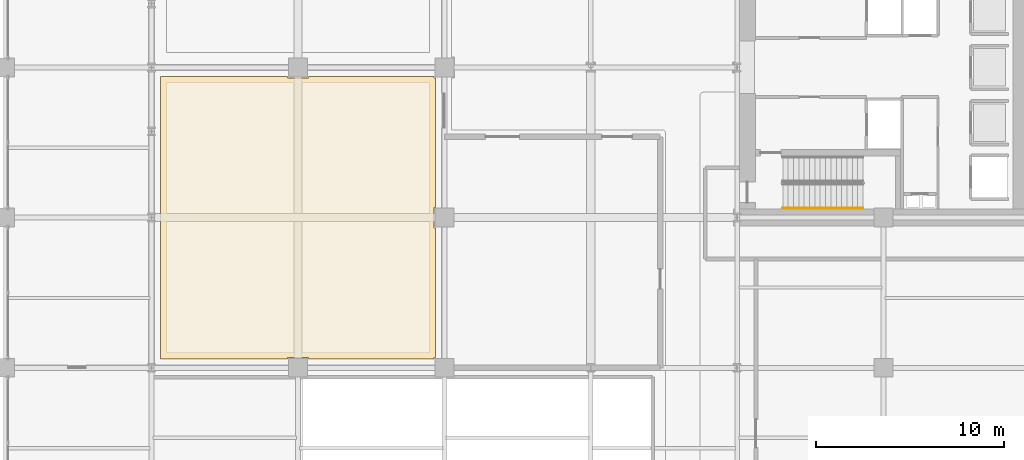
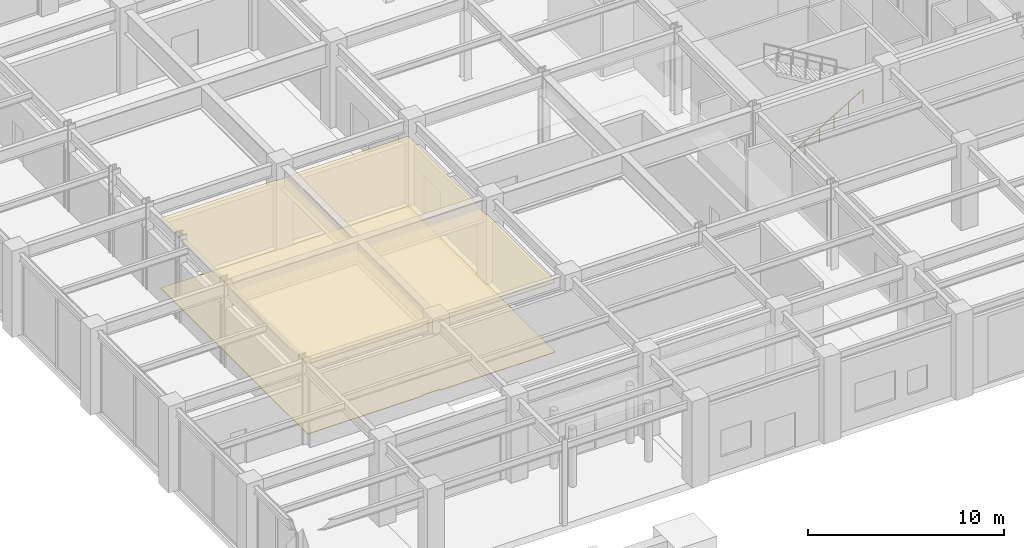
# One storey, part 23 of 27: 2 coverings, 1 railing.
"""IFC4 building model written with IfcOpenShell, lengths in metres."""

from ifc_helpers import new_model, si_unit, direction, frame, origin, origin_2d, place, context, subcontext, project, spatial, polyline, circle, outline, extrude, material, layer, layer_set, type_object, element, save


model = new_model("IFC4")

# Units and contexts
model_context = context("Model", 3, precision=1e-05, world=origin(), true_north=direction((0.0, 1.0)))
body_context = subcontext(model_context, "Body", "Model", "MODEL_VIEW")
ifc_project = project(units=[si_unit("LENGTHUNIT", "METRE"), si_unit("AREAUNIT", "SQUARE_METRE"), si_unit("VOLUMEUNIT", "CUBIC_METRE"), si_unit("PLANEANGLEUNIT", "RADIAN"), si_unit("MASSUNIT", "GRAM", prefix="KILO")], contexts=[model_context])

# Site, building, storey
site_placement = place(None, origin())
site = spatial("IfcSite", under=ifc_project, at=site_placement, CompositionType="ELEMENT")
building_placement = place(site_placement, origin())
building = spatial("IfcBuilding", under=site, at=building_placement, Name="Veymaron Broadcast Tower", CompositionType="ELEMENT")
storey_placement = place(building_placement, origin())
storey = spatial("IfcBuildingStorey", under=building, at=storey_placement, Name="L00", CompositionType="ELEMENT", Elevation=0.0)

# Coverings
ifc_material_1 = material(Name="Micro-perforated dark-anodised aluminium baffle", Category="aluminium")
ifc_layer_1 = layer(ifc_material_1, 0.050048828125)
ifc_layer_set_1 = layer_set([ifc_layer_1], Name="Micro-perforated dark-anodised aluminium baffle")
covering_type_1 = type_object("IfcCoveringType", Name="COV-CEIL-MTL", PredefinedType="CEILING", material=ifc_layer_set_1)
covering_1_placement = place(storey_placement, frame((0.0, 0.0, 4.35009765625)))
element("IfcCovering", 1, at=covering_1_placement, inside=storey, type_object=covering_type_1, Name="L00 suspended acoustic ceiling 2", PredefinedType="CEILING", context=body_context, shape_type="SweptSolid", body=[
    extrude(outline(polyline([(22.919921875, 15.449951171875), (22.919921875, 8.550048828125), (22.85009765625, 8.550048828125), (22.85009765625, 8.47998046875), (16.14990234375, 8.47998046875), (16.14990234375, 8.550048828125), (15.050048828125, 8.550048828125), (15.050048828125, 8.47998046875), (8.280029296875, 8.47998046875), (8.280029296875, 23.52001953125), (15.050048828125, 23.52001953125), (15.050048828125, 23.449951171875), (16.14990234375, 23.449951171875), (16.14990234375, 23.52001953125), (22.85009765625, 23.52001953125), (22.85009765625, 23.449951171875), (22.919921875, 23.449951171875), (22.919921875, 16.550048828125), (22.85009765625, 16.550048828125), (22.85009765625, 15.449951171875), (22.919921875, 15.449951171875)])), origin(), (0.0, 0.0, 1.0), 0.0498046875),
])
ifc_material_2 = material(Name="Honed Saudi basalt stone flooring", Category="masonry")
ifc_layer_2 = layer(ifc_material_2, 0.030029296875)
ifc_layer_set_2 = layer_set([ifc_layer_2], Name="Honed Saudi basalt stone flooring")
covering_type_2 = type_object("IfcCoveringType", Name="COV-FLR-STN", PredefinedType="FLOORING", material=ifc_layer_set_2)
covering_2_placement = place(storey_placement, origin())
element("IfcCovering", 2, at=covering_2_placement, inside=storey, type_object=covering_type_2, Name="L00 finished flooring 2", PredefinedType="FLOORING", context=body_context, shape_type="SweptSolid", body=[
    extrude(outline(polyline([(22.919921875, 15.449951171875), (22.919921875, 8.550048828125), (22.85009765625, 8.550048828125), (22.85009765625, 8.47998046875), (16.14990234375, 8.47998046875), (16.14990234375, 8.550048828125), (15.050048828125, 8.550048828125), (15.050048828125, 8.47998046875), (8.280029296875, 8.47998046875), (8.280029296875, 23.52001953125), (15.050048828125, 23.52001953125), (15.050048828125, 23.449951171875), (16.14990234375, 23.449951171875), (16.14990234375, 23.52001953125), (22.85009765625, 23.52001953125), (22.85009765625, 23.449951171875), (22.919921875, 23.449951171875), (22.919921875, 16.550048828125), (22.85009765625, 16.550048828125), (22.85009765625, 15.449951171875), (22.919921875, 15.449951171875)])), origin(), (0.0, 0.0, 1.0), 0.030029296875),
])

# Railing
ifc_material_3 = material(Name="Brushed stainless steel AISI 304", Category="steel")
railing_type = type_object("IfcRailingType", Name="RAIL-STAIR-HR", PredefinedType="HANDRAIL", material=ifc_material_3)
railing_placement = place(storey_placement, frame((41.429931640625, 16.5, 0.168701171875)))
element("IfcRailing", 3, at=railing_placement, inside=storey, type_object=railing_type, Name="L00 ST2 stair handrail 1", PredefinedType="HANDRAIL", context=body_context, shape_type="SweptSolid", body=[
    extrude(circle(Radius=0.02392578125, at=origin_2d()), frame((0.0, 0.0, 0.8759765625), z_axis=(0.860483042394, 0.0, 0.50947908078), x_axis=(0.0, 1.0, 0.0)), (0.0, 0.0, 1.0), 4.96826171875),
    extrude(circle(Radius=0.02099609375, at=origin_2d()), origin(), (0.0, 0.0, 1.0), 0.851806640625),
    extrude(circle(Radius=0.02099609375, at=origin_2d()), frame((0.85498046875, 0.0, 0.50634765625)), (0.0, 0.0, 1.0), 0.851806640625),
    extrude(circle(Radius=0.02099609375, at=origin_2d()), frame((1.7099609375, 0.0, 1.012451171875)), (0.0, 0.0, 1.0), 0.851806640625),
    extrude(circle(Radius=0.02099609375, at=origin_2d()), frame((2.565185546875, 0.0, 1.518798828125)), (0.0, 0.0, 1.0), 0.851806640625),
    extrude(circle(Radius=0.02099609375, at=origin_2d()), frame((3.420166015625, 0.0, 2.02490234375)), (0.0, 0.0, 1.0), 0.851806640625),
    extrude(circle(Radius=0.02099609375, at=origin_2d()), frame((4.275146484375, 0.0, 2.53125)), (0.0, 0.0, 1.0), 0.851806640625),
])

save(model, "model.ifc")
